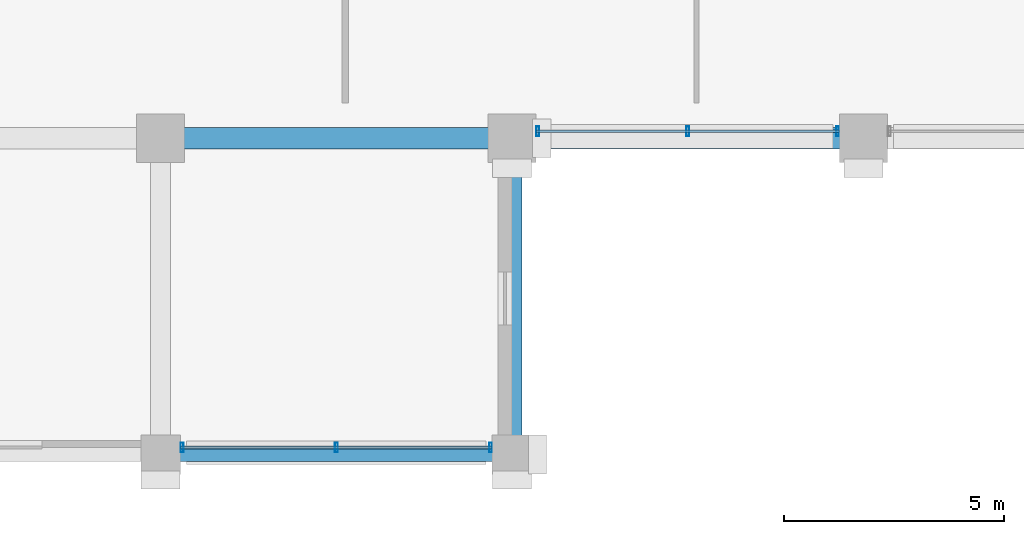
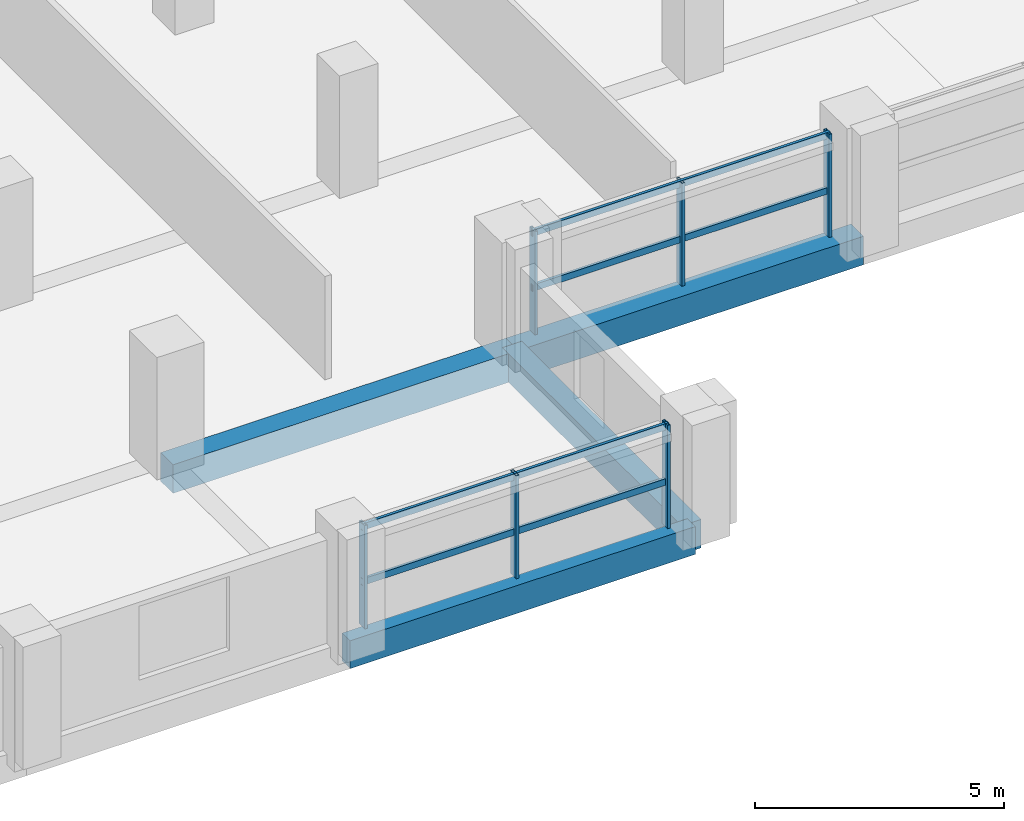
# One storey, part 2 of 22: 10 members, 4 beams, 2 elements without a shape of their own.
"""IFC4 building model written with IfcOpenShell, lengths in metres."""

import ifcopenshell
import ifcopenshell.guid

model = None  # the IFC model being written
_history = None  # IfcOwnerHistory: only IFC2X3 demands one
_inside = {}  # id of a spatial element -> (the spatial element, [elements in it])
_under = {}  # id of a project, library or spatial element -> (it, [spatial elements below it])
_declared = {}  # id of a project -> (the project, [libraries it declares])
_typed = {}  # id of a type object -> (the type object, [elements of that type])
_made_of = {}  # id of a material, layer set ... -> (it, [elements and type objects made of it])


def new_model(schema):
    """Start an empty IFC model of exactly this schema.

    Asked for "IFC4X3", IfcOpenShell would pick the latest addendum, in which some entities
    have other attributes; the version numbers below select the first issue.
    IFC2X3 requires an IfcOwnerHistory on every rooted entity: one is made here for all.
    """
    global model, _history
    if schema == "IFC4X3":
        model = ifcopenshell.file(schema_version=(4, 3, 0, 0))
    else:
        model = ifcopenshell.file(schema=schema)
    _inside.clear()
    _under.clear()
    _declared.clear()
    _typed.clear()
    _made_of.clear()
    _history = None
    if model.schema == "IFC2X3":
        org = make("IfcOrganization", Name="unknown")
        user = make(
            "IfcPersonAndOrganization",
            ThePerson=make("IfcPerson", FamilyName="unknown"),
            TheOrganization=org,
        )
        app = make(
            "IfcApplication",
            ApplicationDeveloper=org,
            Version="unknown",
            ApplicationFullName="unknown",
            ApplicationIdentifier="unknown",
        )
        _history = make(
            "IfcOwnerHistory",
            OwningUser=user,
            OwningApplication=app,
            ChangeAction="ADDED",
            CreationDate=0,
        )
    return model


def make(cls, **values):
    """One entity of the class cls with the attributes given. An attribute that is None is left unset."""
    return model.create_entity(
        cls, **{name: value for name, value in values.items() if value is not None}
    )


def rooted(cls, **values):
    """An entity with a GlobalId (a new one), such as an element, a storey or a relation."""
    return make(cls, GlobalId=ifcopenshell.guid.new(), OwnerHistory=_history, **values)


def si_unit(unit_type, name, prefix=None):
    """IfcSIUnit, for example si_unit("LENGTHUNIT", "METRE", prefix="MILLI")."""
    return make("IfcSIUnit", UnitType=unit_type, Prefix=prefix, Name=name)


def assignment(units):
    """IfcUnitAssignment: the units of a project."""
    return None if units is None else make("IfcUnitAssignment", Units=units)


def point(xyz):
    """IfcCartesianPoint."""
    return None if xyz is None else make("IfcCartesianPoint", Coordinates=xyz)


def direction(xyz):
    """IfcDirection."""
    return None if xyz is None else make("IfcDirection", DirectionRatios=xyz)


def frame(location, z_axis=None, x_axis=None):
    """IfcAxis2Placement3D, a coordinate frame: its origin and axes. An axis left out is left unset."""
    return make(
        "IfcAxis2Placement3D",
        Location=point(location),
        Axis=direction(z_axis),
        RefDirection=direction(x_axis),
    )


def frame_2d(location, x_axis=None):
    """IfcAxis2Placement2D, a coordinate frame in the plane: its origin and x axis."""
    return make(
        "IfcAxis2Placement2D", Location=point(location), RefDirection=direction(x_axis)
    )


def origin():
    """The frame at (0, 0, 0) with its axes left unset."""
    return frame((0.0, 0.0, 0.0))


def origin_2d():
    """The frame at (0, 0) in the plane with its x axis left unset."""
    return frame_2d((0.0, 0.0))


def place(relative_to, where):
    """IfcLocalPlacement: puts the frame where relative to a parent placement (None: the world)."""
    return make(
        "IfcLocalPlacement", PlacementRelTo=relative_to, RelativePlacement=where
    )


def context(
    kind, dimensions, precision=None, world=None, true_north=None, identifier=None
):
    """IfcGeometricRepresentationContext, for example the 3D "Model" context."""
    return make(
        "IfcGeometricRepresentationContext",
        ContextIdentifier=identifier,
        ContextType=kind,
        CoordinateSpaceDimension=dimensions,
        Precision=precision,
        WorldCoordinateSystem=world,
        TrueNorth=true_north,
    )


def subcontext(parent, identifier, kind, view, scale=None):
    """IfcGeometricRepresentationSubContext, for example "Body" below "Model"."""
    return make(
        "IfcGeometricRepresentationSubContext",
        ContextIdentifier=identifier,
        ContextType=kind,
        ParentContext=parent,
        TargetScale=scale,
        TargetView=view,
    )


def project(units=None, contexts=None):
    """IfcProject with its units and contexts."""
    return rooted(
        "IfcProject",
        Name="project",
        RepresentationContexts=contexts,
        UnitsInContext=assignment(units),
    )


def spatial(cls, under=None, at=None, **own):
    """A site, building, storey or space (cls), placed at a placement, below another one or the project."""
    s = rooted(cls, ObjectPlacement=at, **own)
    if under is not None:
        _under.setdefault(under.id(), (under, []))[1].append(s)
    return s


def profile(cls, at=None, kind="AREA", **sizes):
    """A parametric profile (cls). Its sizes go by their IFC names, for example OverallWidth=200.0."""
    return make(cls, ProfileType=kind, Position=at, **sizes)


def rectangle(**sizes):
    """IfcRectangleProfileDef."""
    return profile("IfcRectangleProfileDef", **sizes)


def hollow_rectangle(**sizes):
    """IfcRectangleHollowProfileDef."""
    return profile("IfcRectangleHollowProfileDef", **sizes)


def extrude(swept, where, along, depth):
    """IfcExtrudedAreaSolid: the profile swept, set in the frame where, extruded along a direction by depth."""
    return make(
        "IfcExtrudedAreaSolid",
        SweptArea=swept,
        Position=where,
        ExtrudedDirection=direction(along),
        Depth=depth,
    )


def shape(context_of_items, identifier, shape_type, items):
    """IfcShapeRepresentation: the items that make up one representation, for example the "Body"."""
    return make(
        "IfcShapeRepresentation",
        ContextOfItems=context_of_items,
        RepresentationIdentifier=identifier,
        RepresentationType=shape_type,
        Items=items,
    )


def material(Name=None, Category=None):
    """IfcMaterial."""
    return make("IfcMaterial", Name=Name, Category=Category)


def material_profile(
    of_material, cross_section, Name=None, Category=None, Priority=None
):
    """IfcMaterialProfile: a cross section and its material."""
    return make(
        "IfcMaterialProfile",
        Name=Name,
        Material=of_material,
        Profile=cross_section,
        Priority=Priority,
        Category=Category,
    )


def profile_set(profiles, Name=None, composite=None):
    """IfcMaterialProfileSet."""
    return make(
        "IfcMaterialProfileSet",
        Name=Name,
        MaterialProfiles=profiles,
        CompositeProfile=composite,
    )


def made_of(thing, what):
    """Note that an element or type object is made of a material, layer set ...; save() writes the relation."""
    if what is not None:
        _made_of.setdefault(what.id(), (what, []))[1].append(thing)
    return thing


def type_object(cls, material=None, **own):
    """A type object (cls), such as IfcWallType, which elements share."""
    return made_of(rooted(cls, **own), material)


def element(
    cls,
    number,
    at=None,
    inside=None,
    cuts=None,
    type_object=None,
    material=None,
    context=None,
    identifier="Body",
    shape_type=None,
    held_by="IfcProductDefinitionShape",
    body=None,
    shapes=None,
    **own,
):
    """One element of the class cls, such as IfcWall. Its Tag is "e" and its number.

    at: its placement. inside: the storey or other place that contains it. cuts: it is an
    opening in that element (IfcRelVoidsElement). A single representation is given by context,
    identifier, shape_type and body (its items); several are given by shapes. held_by: the class
    of the entity that holds the representations. save() writes the other relations.
    """
    e = rooted(cls, Tag="e%d" % number, ObjectPlacement=at, **own)
    if body is not None:
        shapes = [shape(context, identifier, shape_type, body)]
    if shapes is not None:
        e.Representation = make(held_by, Representations=shapes)
    if inside is not None:
        _inside.setdefault(inside.id(), (inside, []))[1].append(e)
    if cuts is not None:
        rooted(
            "IfcRelVoidsElement", RelatingBuildingElement=cuts, RelatedOpeningElement=e
        )
    if type_object is not None:
        _typed.setdefault(type_object.id(), (type_object, []))[1].append(e)
    return made_of(e, material)


def aggregate(whole, parts):
    """IfcRelAggregates: a whole, such as a stair, and the parts it consists of."""
    return rooted("IfcRelAggregates", RelatingObject=whole, RelatedObjects=parts)


def save(model, path):
    """Write the relations noted so far, then the file.

    IfcRelAggregates (storeys below a building ...), IfcRelContainedInSpatialStructure (elements
    in a storey), IfcRelDefinesByType, IfcRelAssociatesMaterial and IfcRelDeclares: one each for
    every whole, place, type object, material and project.
    """
    for whole, parts in _under.values():
        aggregate(whole, parts)
    for where, things in _inside.values():
        rooted(
            "IfcRelContainedInSpatialStructure",
            RelatedElements=things,
            RelatingStructure=where,
        )
    for kind, things in _typed.values():
        rooted("IfcRelDefinesByType", RelatedObjects=things, RelatingType=kind)
    for what, things in _made_of.values():
        rooted("IfcRelAssociatesMaterial", RelatedObjects=things, RelatingMaterial=what)
    for by, libraries in _declared.values():
        rooted("IfcRelDeclares", RelatingContext=by, RelatedDefinitions=libraries)
    model.write(path)


model = new_model("IFC4")

# Units and contexts
model_context = context("Model", 3, precision=1e-05, world=origin(), true_north=direction((0.0, 1.0)))
body_context = subcontext(model_context, "Body", "Model", "MODEL_VIEW")
ifc_project = project(units=[si_unit("LENGTHUNIT", "METRE"), si_unit("AREAUNIT", "SQUARE_METRE"), si_unit("VOLUMEUNIT", "CUBIC_METRE"), si_unit("PLANEANGLEUNIT", "RADIAN"), si_unit("MASSUNIT", "GRAM", prefix="KILO")], contexts=[model_context])

# Site, building, storey
site_placement = place(None, origin())
site = spatial("IfcSite", under=ifc_project, at=site_placement, CompositionType="ELEMENT")
building_placement = place(site_placement, origin())
building = spatial("IfcBuilding", under=site, at=building_placement, Name="Akrevak Sports Hall", CompositionType="ELEMENT")
storey_placement = place(building_placement, frame((0.0, 0.0, 30.800048828125)))
storey = spatial("IfcBuildingStorey", under=building, at=storey_placement, Name="L06", CompositionType="ELEMENT", Elevation=30.800048828125)

# Curtain wall, members
ifc_material_1 = material(Name="Anodized Bronze Aluminium & Low-E Glass", Category="aluminium")
curtain_wall_type = type_object("IfcCurtainWallType", Name="ARC-CW-TWR-64x30", PredefinedType="NOTDEFINED", material=ifc_material_1)
curtain_wall_1_placement = place(storey_placement, origin())
curtain_wall_1 = element("IfcCurtainWall", 1, at=curtain_wall_1_placement, inside=storey, type_object=curtain_wall_type, Name="Curtain Wall CW-L06-S03", PredefinedType="NOTDEFINED")
ifc_material_2 = material(Name="Anodized Bronze Aluminium", Category="aluminium")
ifc_material_profile_1 = material_profile(ifc_material_2, hollow_rectangle(XDim=0.06494140625, YDim=0.219970703125, WallThickness=0.00439453125, at=origin_2d()), Name="CWM 65x220", Category="aluminium")
ifc_profile_set_1 = profile_set([ifc_material_profile_1], Name="Anodized Bronze Aluminium")
member_type_1 = type_object("IfcMemberType", Name="ARC-CWM-70x160", PredefinedType="MULLION", material=ifc_profile_set_1)
member_1_placement = place(storey_placement, frame((60.489990234375, 21.760009765625, 0.0), z_axis=(0.0, 0.0, 1.0), x_axis=(1.0, 0.0, 0.0)))
member_1 = element("IfcMember", 2, at=member_1_placement, type_object=member_type_1, Name="Curtain Wall Mullion CW-L06-S03-M1", PredefinedType="MULLION", context=body_context, shape_type="SweptSolid", body=[
    extrude(hollow_rectangle(XDim=0.06494140625, YDim=0.219970703125, WallThickness=0.00439453125, at=origin_2d()), origin(), (0.0, 0.0, 1.0), 2.530029296875),
])
member_2_placement = place(storey_placement, frame((64.0, 21.760009765625, 0.0), z_axis=(0.0, 0.0, 1.0), x_axis=(1.0, 0.0, 0.0)))
member_2 = element("IfcMember", 3, at=member_2_placement, type_object=member_type_1, Name="Curtain Wall Mullion CW-L06-S03-M2", PredefinedType="MULLION", context=body_context, shape_type="SweptSolid", body=[
    extrude(hollow_rectangle(XDim=0.06494140625, YDim=0.219970703125, WallThickness=0.00439453125, at=origin_2d()), origin(), (0.0, 0.0, 1.0), 2.530029296875),
])
member_3_placement = place(storey_placement, frame((67.510009765625, 21.760009765625, 0.0), z_axis=(0.0, 0.0, 1.0), x_axis=(1.0, 0.0, 0.0)))
member_3 = element("IfcMember", 4, at=member_3_placement, type_object=member_type_1, Name="Curtain Wall Mullion CW-L06-S03-M3", PredefinedType="MULLION", context=body_context, shape_type="SweptSolid", body=[
    extrude(hollow_rectangle(XDim=0.06494140625, YDim=0.219970703125, WallThickness=0.00439453125, at=origin_2d()), origin(), (0.0, 0.0, 1.0), 2.530029296875),
])

curtain_wall_2_placement = place(storey_placement, origin())
curtain_wall_2 = element("IfcCurtainWall", 5, at=curtain_wall_2_placement, inside=storey, type_object=curtain_wall_type, Name="Curtain Wall CW-L06-S05", PredefinedType="NOTDEFINED")
member_4_placement = place(storey_placement, frame((68.590087890625, 28.9599609375, 0.0), z_axis=(0.0, 0.0, 1.0), x_axis=(1.0, 0.0, 0.0)))
member_4 = element("IfcMember", 6, at=member_4_placement, type_object=member_type_1, Name="Curtain Wall Mullion CW-L06-S05-M1", PredefinedType="MULLION", context=body_context, shape_type="SweptSolid", body=[
    extrude(hollow_rectangle(XDim=0.06494140625, YDim=0.219970703125, WallThickness=0.00439453125, at=origin_2d()), origin(), (0.0, 0.0, 1.0), 2.530029296875),
])
member_5_placement = place(storey_placement, frame((72.0, 28.9599609375, 0.0), z_axis=(0.0, 0.0, 1.0), x_axis=(1.0, 0.0, 0.0)))
member_5 = element("IfcMember", 7, at=member_5_placement, type_object=member_type_1, Name="Curtain Wall Mullion CW-L06-S05-M2", PredefinedType="MULLION", context=body_context, shape_type="SweptSolid", body=[
    extrude(hollow_rectangle(XDim=0.06494140625, YDim=0.219970703125, WallThickness=0.00439453125, at=origin_2d()), origin(), (0.0, 0.0, 1.0), 2.530029296875),
])
member_6_placement = place(storey_placement, frame((75.409912109375, 28.9599609375, 0.0), z_axis=(0.0, 0.0, 1.0), x_axis=(1.0, 0.0, 0.0)))
member_6 = element("IfcMember", 8, at=member_6_placement, type_object=member_type_1, Name="Curtain Wall Mullion CW-L06-S05-M3", PredefinedType="MULLION", context=body_context, shape_type="SweptSolid", body=[
    extrude(hollow_rectangle(XDim=0.06494140625, YDim=0.219970703125, WallThickness=0.00439453125, at=origin_2d()), origin(), (0.0, 0.0, 1.0), 2.530029296875),
])

# Member
ifc_material_profile_2 = material_profile(ifc_material_2, hollow_rectangle(XDim=0.06494140625, YDim=0.159912109375, WallThickness=0.00390625, at=origin_2d()), Name="CWT 65x160", Category="aluminium")
ifc_profile_set_2 = profile_set([ifc_material_profile_2], Name="Anodized Bronze Aluminium")
member_type_2 = type_object("IfcMemberType", Name="ARC-CWT-70x130", PredefinedType="USERDEFINED", material=ifc_profile_set_2)
member_7_placement = place(storey_placement, frame((60.449951171875, 21.760009765625, 1.099853515625), z_axis=(1.0, 0.0, 0.0), x_axis=(0.0, 1.0, 0.0)))
member_7 = element("IfcMember", 9, at=member_7_placement, type_object=member_type_2, Name="Curtain Wall Transom CW-L06-S03-T1", ObjectType="TRANSOM", PredefinedType="USERDEFINED", context=body_context, shape_type="SweptSolid", body=[
    extrude(hollow_rectangle(XDim=0.06494140625, YDim=0.159912109375, WallThickness=0.00390625, at=origin_2d()), origin(), (0.0, 0.0, 1.0), 7.10009765625),
])

member_8_placement = place(storey_placement, frame((60.449951171875, 21.760009765625, 2.449951171875), z_axis=(1.0, 0.0, 0.0), x_axis=(0.0, 1.0, 0.0)))
member_8 = element("IfcMember", 10, at=member_8_placement, type_object=member_type_2, Name="Curtain Wall Transom CW-L06-S03-T2", ObjectType="TRANSOM", PredefinedType="USERDEFINED", context=body_context, shape_type="SweptSolid", body=[
    extrude(hollow_rectangle(XDim=0.06494140625, YDim=0.159912109375, WallThickness=0.00390625, at=origin_2d()), origin(), (0.0, 0.0, 1.0), 7.10009765625),
])

aggregate(curtain_wall_1, [member_1, member_2, member_3, member_7, member_8])

member_9_placement = place(storey_placement, frame((68.550048828125, 28.9599609375, 1.099853515625), z_axis=(1.0, 0.0, 0.0), x_axis=(0.0, 1.0, 0.0)))
member_9 = element("IfcMember", 11, at=member_9_placement, type_object=member_type_2, Name="Curtain Wall Transom CW-L06-S05-T1", ObjectType="TRANSOM", PredefinedType="USERDEFINED", context=body_context, shape_type="SweptSolid", body=[
    extrude(hollow_rectangle(XDim=0.06494140625, YDim=0.159912109375, WallThickness=0.00390625, at=origin_2d()), origin(), (0.0, 0.0, 1.0), 6.89990234375),
])

member_10_placement = place(storey_placement, frame((68.550048828125, 28.9599609375, 2.449951171875), z_axis=(1.0, 0.0, 0.0), x_axis=(0.0, 1.0, 0.0)))
member_10 = element("IfcMember", 12, at=member_10_placement, type_object=member_type_2, Name="Curtain Wall Transom CW-L06-S05-T2", ObjectType="TRANSOM", PredefinedType="USERDEFINED", context=body_context, shape_type="SweptSolid", body=[
    extrude(hollow_rectangle(XDim=0.06494140625, YDim=0.159912109375, WallThickness=0.00390625, at=origin_2d()), origin(), (0.0, 0.0, 1.0), 6.89990234375),
])

aggregate(curtain_wall_2, [member_4, member_5, member_6, member_9, member_10])

# Beams
ifc_material_3 = material(Name="Concrete C40/50", Category="concrete")
ifc_material_profile_3 = material_profile(ifc_material_3, rectangle(XDim=0.449951171875, YDim=0.699951171875, at=origin_2d()), Name="BM 450x700", Category="concrete")
ifc_profile_set_3 = profile_set([ifc_material_profile_3], Name="Concrete C40/50")
beam_type_1 = type_object("IfcBeamType", Name="STR-BM-RC450x700", PredefinedType="BEAM", material=ifc_profile_set_3)
beam_1_placement = place(storey_placement, frame((68.0, 21.60009765625, -0.35009765625), z_axis=(0.0, 1.0, 0.0), x_axis=(-1.0, 0.0, 0.0)))
element("IfcBeam", 13, at=beam_1_placement, inside=storey, type_object=beam_type_1, Name="Girder 10/D-E (L06)", PredefinedType="BEAM", context=body_context, shape_type="SweptSolid", body=[
    extrude(rectangle(XDim=0.449951171875, YDim=0.699951171875, at=origin_2d()), origin(), (0.0, 0.0, 1.0), 7.199951171875),
])
ifc_material_profile_4 = material_profile(ifc_material_3, rectangle(XDim=0.5, YDim=0.699951171875, at=origin_2d()), Name="BM 500x700", Category="concrete")
ifc_profile_set_4 = profile_set([ifc_material_profile_4], Name="Concrete C40/50")
beam_type_2 = type_object("IfcBeamType", Name="STR-BM-RC500x700", PredefinedType="BEAM", material=ifc_profile_set_4)
for number, where, z_axis, x_axis, name in (
    (14, (60.0, 28.800048828125, -0.35009765625), (1.0, 0.0, 0.0), (0.0, 1.0, 0.0), "Girder E/9-10 (L06)"),
    (15, (68.0, 28.800048828125, -0.35009765625), (1.0, 0.0, 0.0), (0.0, 1.0, 0.0), "Girder E/10-11 (L06)"),
):
    element("IfcBeam", number, at=place(storey_placement, frame(where, z_axis=z_axis, x_axis=x_axis)), inside=storey, type_object=beam_type_2, Name=name, PredefinedType="BEAM", context=body_context, shape_type="SweptSolid", body=[
        extrude(rectangle(XDim=0.5, YDim=0.699951171875, at=origin_2d()), origin(), (0.0, 0.0, 1.0), 8.0),
    ])
ifc_material_profile_5 = material_profile(ifc_material_3, rectangle(XDim=0.320068359375, YDim=0.679931640625, at=origin_2d()), Name="SPD 320x680", Category="concrete")
ifc_profile_set_5 = profile_set([ifc_material_profile_5], Name="Concrete C40/50")
beam_type_3 = type_object("IfcBeamType", Name="STR-SPD-RC320x680", PredefinedType="SPANDREL", material=ifc_profile_set_5)
beam_2_placement = place(storey_placement, frame((60.0, 21.60009765625, -0.340087890625), z_axis=(1.0, 0.0, 0.0), x_axis=(0.0, 1.0, 0.0)))
element("IfcBeam", 16, at=beam_2_placement, inside=storey, type_object=beam_type_3, Name="Girder D/9-10 (L06)", PredefinedType="SPANDREL", context=body_context, shape_type="SweptSolid", body=[
    extrude(rectangle(XDim=0.320068359375, YDim=0.679931640625, at=origin_2d()), origin(), (0.0, 0.0, 1.0), 8.0),
])

save(model, "model.ifc")
